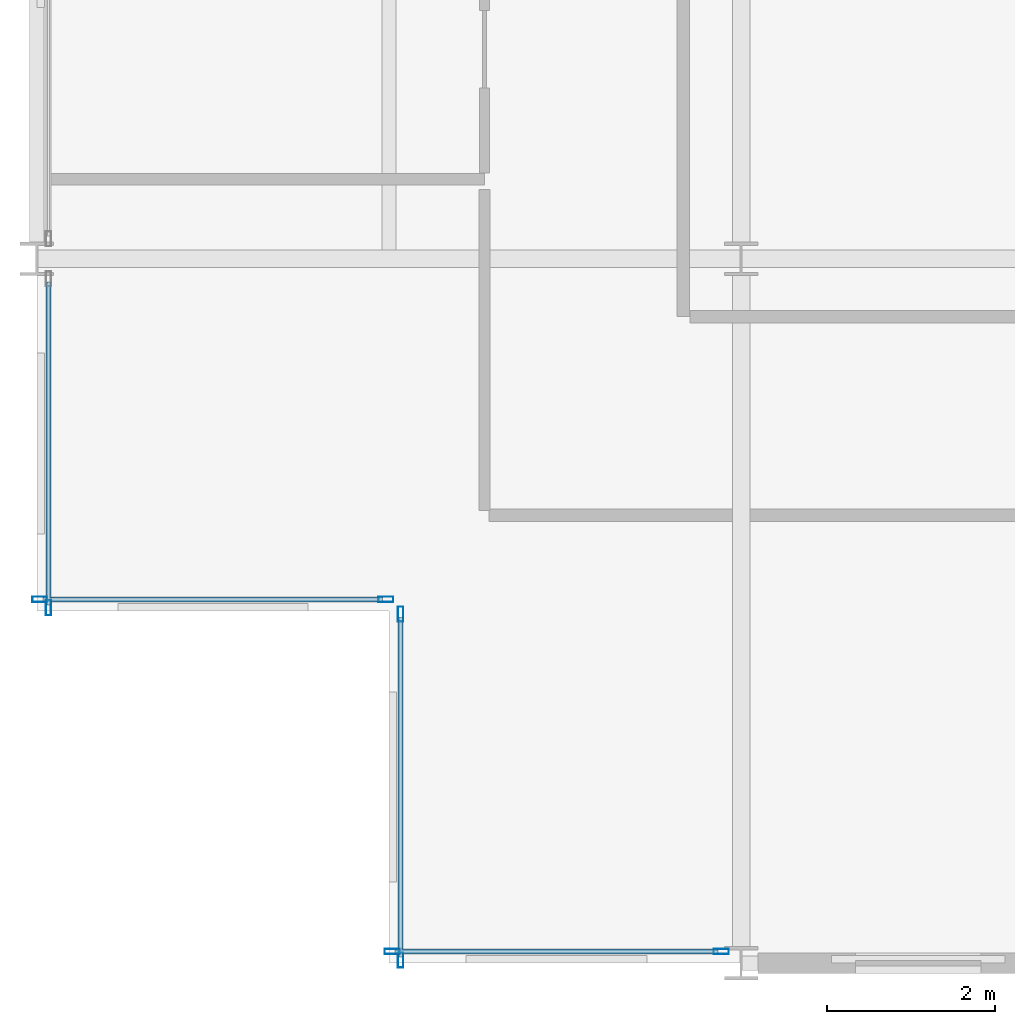
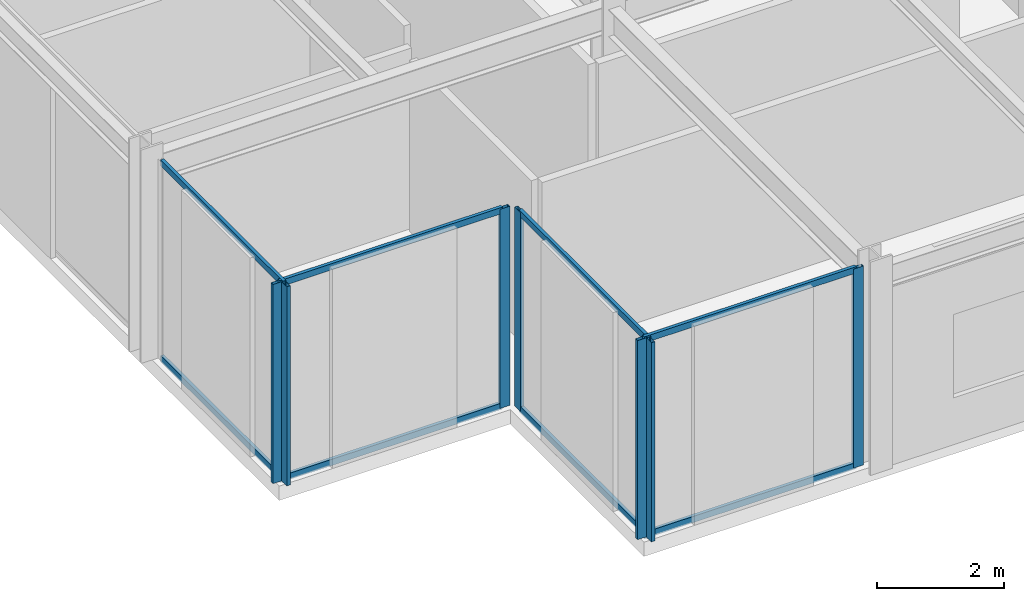
# One storey, part 2 of 29: 15 members, 4 elements without a shape of their own.
"""IFC4 building model written with IfcOpenShell, lengths in metres."""

from ifc_helpers import new_model, si_unit, direction, frame, origin, origin_2d, place, context, subcontext, project, spatial, hollow_rectangle, extrude, material, layer, layer_set, material_profile, profile_set, type_object, element, aggregate, save


model = new_model("IFC4")

# Units and contexts
model_context = context("Model", 3, precision=1e-05, world=origin(), true_north=direction((0.0, 1.0)))
body_context = subcontext(model_context, "Body", "Model", "MODEL_VIEW")
ifc_project = project(units=[si_unit("LENGTHUNIT", "METRE"), si_unit("AREAUNIT", "SQUARE_METRE"), si_unit("VOLUMEUNIT", "CUBIC_METRE"), si_unit("PLANEANGLEUNIT", "RADIAN"), si_unit("MASSUNIT", "GRAM", prefix="KILO")], contexts=[model_context])

# Site, building, storey
site_placement = place(None, origin())
site = spatial("IfcSite", under=ifc_project, at=site_placement, CompositionType="ELEMENT")
building_placement = place(site_placement, origin())
building = spatial("IfcBuilding", under=site, at=building_placement, Name="Nerrivon Quay Data Exchange", CompositionType="ELEMENT")
storey_placement = place(building_placement, frame((0.0, 0.0, 150.0)))
storey = spatial("IfcBuildingStorey", under=building, at=storey_placement, Name="L35", CompositionType="ELEMENT", Elevation=150.0)

# Curtain wall, members
ifc_material = material(Name="Anodised aluminium 6063-T6", Category="aluminium")
ifc_layer = layer(ifc_material, 0.2099609375)
ifc_layer_set = layer_set([ifc_layer], Name="Anodised aluminium 6063-T6")
curtain_wall_type = type_object("IfcCurtainWallType", Name="CW-SYS-02", PredefinedType="NOTDEFINED", material=ifc_layer_set)
curtain_wall_1_placement = place(storey_placement, origin())
curtain_wall_1 = element("IfcCurtainWall", 1, at=curtain_wall_1_placement, inside=storey, type_object=curtain_wall_type, Name="L35 Unitised Curtain Wall 8", PredefinedType="NOTDEFINED")
ifc_material_profile_1 = material_profile(ifc_material, hollow_rectangle(XDim=0.06494140625, YDim=0.179931640625, WallThickness=0.00341796875, at=origin_2d()), Name="ALU-MULL-180x65")
ifc_profile_set_1 = profile_set([ifc_material_profile_1], Name="Anodised aluminium 6063-T6")
member_type_1 = type_object("IfcMemberType", Name="CWM-180x65", PredefinedType="MULLION", material=ifc_profile_set_1)
member_1_placement = place(storey_placement, frame((8.16259765625, 0.139892578125, 0.0), z_axis=(0.0, 0.0, 1.0), x_axis=(0.0, -1.0, 0.0)))
member_1 = element("IfcMember", 2, at=member_1_placement, type_object=member_type_1, Name="CW02 mullion 1", PredefinedType="MULLION", context=body_context, shape_type="SweptSolid", body=[
    extrude(hollow_rectangle(XDim=0.06494140625, YDim=0.179931640625, WallThickness=0.00341796875, at=origin_2d()), origin(), (0.0, 0.0, 1.0), 3.824951171875),
])
member_2_placement = place(storey_placement, frame((4.237548828125, 0.139892578125, 0.0), z_axis=(0.0, 0.0, 1.0), x_axis=(0.0, -1.0, 0.0)))
member_2 = element("IfcMember", 3, at=member_2_placement, type_object=member_type_1, Name="CW02 mullion 2", PredefinedType="MULLION", context=body_context, shape_type="SweptSolid", body=[
    extrude(hollow_rectangle(XDim=0.06494140625, YDim=0.179931640625, WallThickness=0.00341796875, at=origin_2d()), origin(), (0.0, 0.0, 1.0), 3.824951171875),
])

curtain_wall_2_placement = place(storey_placement, origin())
curtain_wall_2 = element("IfcCurtainWall", 4, at=curtain_wall_2_placement, inside=storey, type_object=curtain_wall_type, Name="L35 Unitised Curtain Wall 9", PredefinedType="NOTDEFINED")
member_3_placement = place(storey_placement, frame((4.340087890625, 0.03759765625, 0.0), z_axis=(0.0, 0.0, 1.0), x_axis=(-1.0, 0.0, 0.0)))
member_3 = element("IfcMember", 5, at=member_3_placement, type_object=member_type_1, Name="CW02 mullion 1", PredefinedType="MULLION", context=body_context, shape_type="SweptSolid", body=[
    extrude(hollow_rectangle(XDim=0.06494140625, YDim=0.179931640625, WallThickness=0.00341796875, at=origin_2d()), origin(), (0.0, 0.0, 1.0), 3.824951171875),
])
member_4_placement = place(storey_placement, frame((4.340087890625, 4.16259765625, 0.0), z_axis=(0.0, 0.0, 1.0), x_axis=(-1.0, 0.0, 0.0)))
member_4 = element("IfcMember", 6, at=member_4_placement, type_object=member_type_1, Name="CW02 mullion 2", PredefinedType="MULLION", context=body_context, shape_type="SweptSolid", body=[
    extrude(hollow_rectangle(XDim=0.06494140625, YDim=0.179931640625, WallThickness=0.00341796875, at=origin_2d()), origin(), (0.0, 0.0, 1.0), 3.824951171875),
])

curtain_wall_3_placement = place(storey_placement, origin())
curtain_wall_3 = element("IfcCurtainWall", 7, at=curtain_wall_3_placement, inside=storey, type_object=curtain_wall_type, Name="L35 Unitised Curtain Wall 10", PredefinedType="NOTDEFINED")
member_5_placement = place(storey_placement, frame((4.16259765625, 4.340087890625, 0.0), z_axis=(0.0, 0.0, 1.0), x_axis=(0.0, -1.0, 0.0)))
member_5 = element("IfcMember", 8, at=member_5_placement, type_object=member_type_1, Name="CW02 mullion 1", PredefinedType="MULLION", context=body_context, shape_type="SweptSolid", body=[
    extrude(hollow_rectangle(XDim=0.06494140625, YDim=0.179931640625, WallThickness=0.00341796875, at=origin_2d()), origin(), (0.0, 0.0, 1.0), 3.824951171875),
])
member_6_placement = place(storey_placement, frame((0.03759765625, 4.340087890625, 0.0), z_axis=(0.0, 0.0, 1.0), x_axis=(0.0, -1.0, 0.0)))
member_6 = element("IfcMember", 9, at=member_6_placement, type_object=member_type_1, Name="CW02 mullion 2", PredefinedType="MULLION", context=body_context, shape_type="SweptSolid", body=[
    extrude(hollow_rectangle(XDim=0.06494140625, YDim=0.179931640625, WallThickness=0.00341796875, at=origin_2d()), origin(), (0.0, 0.0, 1.0), 3.824951171875),
])

# Curtain wall, member
curtain_wall_4_placement = place(storey_placement, origin())
curtain_wall_4 = element("IfcCurtainWall", 10, at=curtain_wall_4_placement, inside=storey, type_object=curtain_wall_type, Name="L35 Unitised Curtain Wall 11", PredefinedType="NOTDEFINED")
member_7_placement = place(storey_placement, frame((0.139892578125, 4.237548828125, 0.0), z_axis=(0.0, 0.0, 1.0), x_axis=(-1.0, 0.0, 0.0)))
member_7 = element("IfcMember", 11, at=member_7_placement, type_object=member_type_1, Name="CW02 mullion 1", PredefinedType="MULLION", context=body_context, shape_type="SweptSolid", body=[
    extrude(hollow_rectangle(XDim=0.06494140625, YDim=0.179931640625, WallThickness=0.00341796875, at=origin_2d()), origin(), (0.0, 0.0, 1.0), 3.824951171875),
])

# Member
ifc_material_profile_2 = material_profile(ifc_material, hollow_rectangle(XDim=0.06005859375, YDim=0.1201171875, WallThickness=0.003173828125, at=origin_2d()), Name="ALU-TRAN-120x60")
ifc_profile_set_2 = profile_set([ifc_material_profile_2], Name="Anodised aluminium 6063-T6")
member_type_2 = type_object("IfcMemberType", Name="CWT-120x60", PredefinedType="USERDEFINED", material=ifc_profile_set_2)
member_8_placement = place(storey_placement, frame((8.125, 0.139892578125, 0.032470703125), z_axis=(-1.0, 0.0, 0.0), x_axis=(0.0, -1.0, 0.0)))
member_8 = element("IfcMember", 12, at=member_8_placement, type_object=member_type_2, Name="CW02 transom 1.1", ObjectType="TRANSOM", PredefinedType="USERDEFINED", context=body_context, shape_type="SweptSolid", body=[
    extrude(hollow_rectangle(XDim=0.06005859375, YDim=0.1201171875, WallThickness=0.003173828125, at=origin_2d()), origin(), (0.0, 0.0, 1.0), 3.85009765625),
])

member_9_placement = place(storey_placement, frame((8.125, 0.139892578125, 3.79248046875), z_axis=(-1.0, 0.0, 0.0), x_axis=(0.0, -1.0, 0.0)))
member_9 = element("IfcMember", 13, at=member_9_placement, type_object=member_type_2, Name="CW02 transom 1.2", ObjectType="TRANSOM", PredefinedType="USERDEFINED", context=body_context, shape_type="SweptSolid", body=[
    extrude(hollow_rectangle(XDim=0.06005859375, YDim=0.1201171875, WallThickness=0.003173828125, at=origin_2d()), origin(), (0.0, 0.0, 1.0), 3.85009765625),
])

aggregate(curtain_wall_1, [member_1, member_2, member_8, member_9])

member_10_placement = place(storey_placement, frame((4.340087890625, 0.074951171875, 0.032470703125), z_axis=(0.0, 1.0, 0.0), x_axis=(-1.0, 0.0, 0.0)))
member_10 = element("IfcMember", 14, at=member_10_placement, type_object=member_type_2, Name="CW02 transom 1.1", ObjectType="TRANSOM", PredefinedType="USERDEFINED", context=body_context, shape_type="SweptSolid", body=[
    extrude(hollow_rectangle(XDim=0.06005859375, YDim=0.1201171875, WallThickness=0.003173828125, at=origin_2d()), origin(), (0.0, 0.0, 1.0), 4.050048828125),
])

member_11_placement = place(storey_placement, frame((4.340087890625, 0.074951171875, 3.79248046875), z_axis=(0.0, 1.0, 0.0), x_axis=(-1.0, 0.0, 0.0)))
member_11 = element("IfcMember", 15, at=member_11_placement, type_object=member_type_2, Name="CW02 transom 1.2", ObjectType="TRANSOM", PredefinedType="USERDEFINED", context=body_context, shape_type="SweptSolid", body=[
    extrude(hollow_rectangle(XDim=0.06005859375, YDim=0.1201171875, WallThickness=0.003173828125, at=origin_2d()), origin(), (0.0, 0.0, 1.0), 4.050048828125),
])

aggregate(curtain_wall_2, [member_3, member_4, member_10, member_11])

member_12_placement = place(storey_placement, frame((4.125, 4.340087890625, 0.032470703125), z_axis=(-1.0, 0.0, 0.0), x_axis=(0.0, -1.0, 0.0)))
member_12 = element("IfcMember", 16, at=member_12_placement, type_object=member_type_2, Name="CW02 transom 1.1", ObjectType="TRANSOM", PredefinedType="USERDEFINED", context=body_context, shape_type="SweptSolid", body=[
    extrude(hollow_rectangle(XDim=0.06005859375, YDim=0.1201171875, WallThickness=0.003173828125, at=origin_2d()), origin(), (0.0, 0.0, 1.0), 4.050048828125),
])

member_13_placement = place(storey_placement, frame((4.125, 4.340087890625, 3.79248046875), z_axis=(-1.0, 0.0, 0.0), x_axis=(0.0, -1.0, 0.0)))
member_13 = element("IfcMember", 17, at=member_13_placement, type_object=member_type_2, Name="CW02 transom 1.2", ObjectType="TRANSOM", PredefinedType="USERDEFINED", context=body_context, shape_type="SweptSolid", body=[
    extrude(hollow_rectangle(XDim=0.06005859375, YDim=0.1201171875, WallThickness=0.003173828125, at=origin_2d()), origin(), (0.0, 0.0, 1.0), 4.050048828125),
])

aggregate(curtain_wall_3, [member_5, member_6, member_12, member_13])

member_14_placement = place(storey_placement, frame((0.139892578125, 4.27490234375, 0.032470703125), z_axis=(0.0, 1.0, 0.0), x_axis=(-1.0, 0.0, 0.0)))
member_14 = element("IfcMember", 18, at=member_14_placement, type_object=member_type_2, Name="CW02 transom 1.1", ObjectType="TRANSOM", PredefinedType="USERDEFINED", context=body_context, shape_type="SweptSolid", body=[
    extrude(hollow_rectangle(XDim=0.06005859375, YDim=0.1201171875, WallThickness=0.003173828125, at=origin_2d()), origin(), (0.0, 0.0, 1.0), 3.85009765625),
])

member_15_placement = place(storey_placement, frame((0.139892578125, 4.27490234375, 3.79248046875), z_axis=(0.0, 1.0, 0.0), x_axis=(-1.0, 0.0, 0.0)))
member_15 = element("IfcMember", 19, at=member_15_placement, type_object=member_type_2, Name="CW02 transom 1.2", ObjectType="TRANSOM", PredefinedType="USERDEFINED", context=body_context, shape_type="SweptSolid", body=[
    extrude(hollow_rectangle(XDim=0.06005859375, YDim=0.1201171875, WallThickness=0.003173828125, at=origin_2d()), origin(), (0.0, 0.0, 1.0), 3.85009765625),
])

aggregate(curtain_wall_4, [member_7, member_14, member_15])

save(model, "model.ifc")
